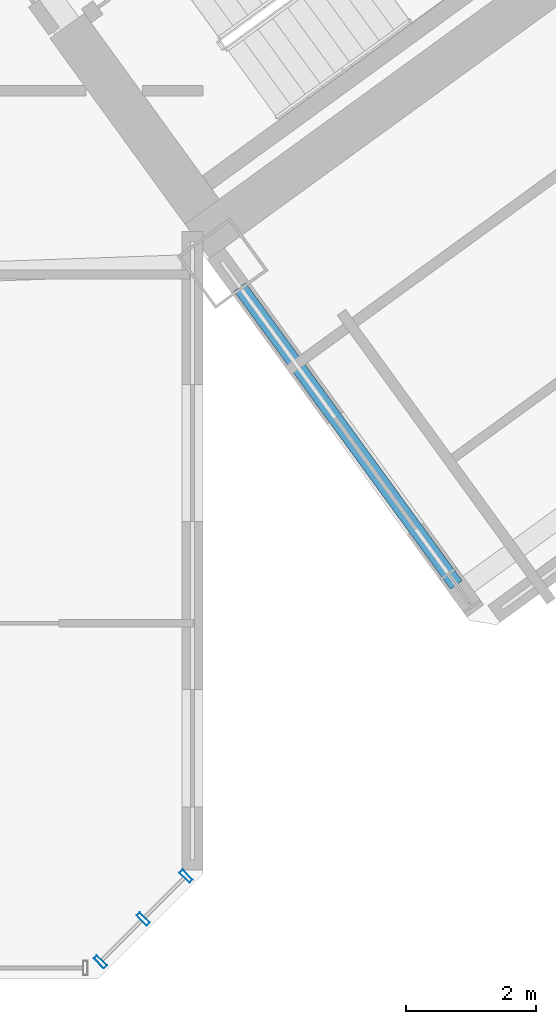
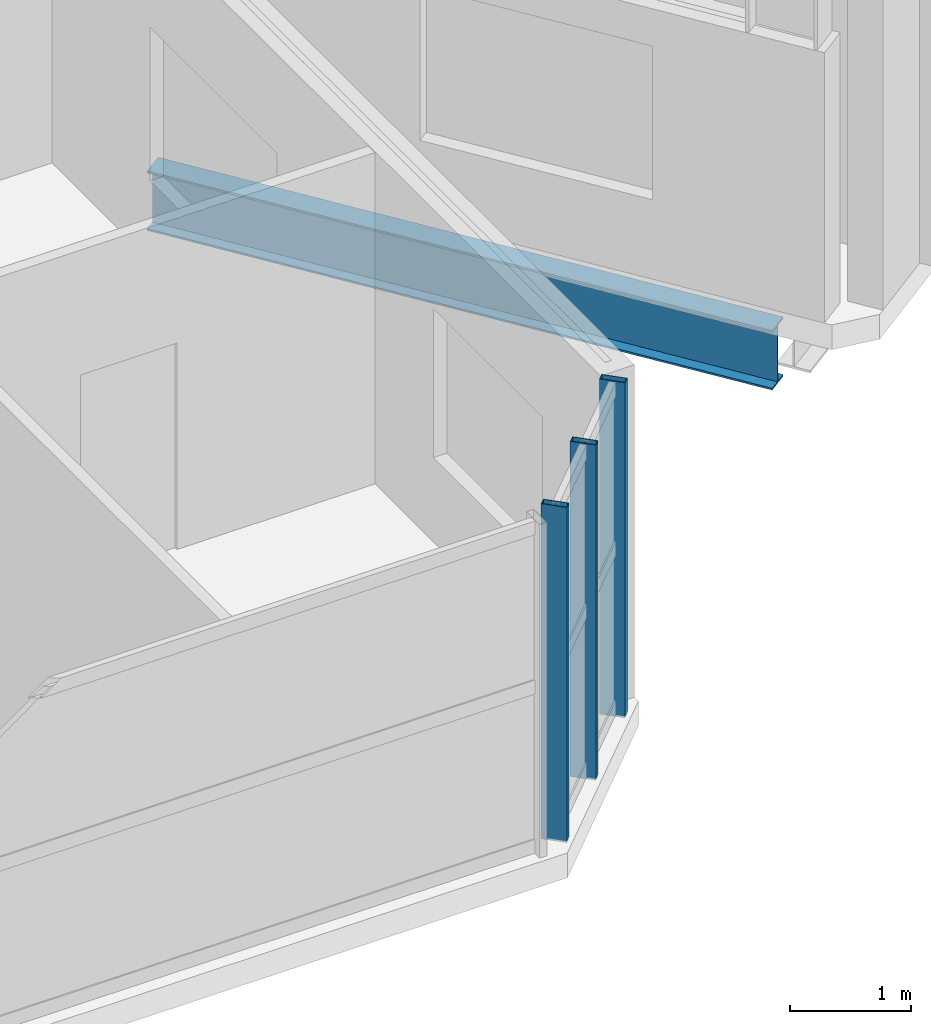
# One storey, part 9 of 28: 3 members, 1 beam, 1 element without a shape of its own.
"""IFC4 building model written with IfcOpenShell, lengths in metres."""

from ifc_helpers import new_model, si_unit, direction, frame, origin, origin_2d, place, context, subcontext, project, spatial, hollow_rectangle, i_section, extrude, source, transform, mapped, material, material_profile, profile_set, type_object, element, aggregate, save


model = new_model("IFC4")

# Units and contexts
model_context = context("Model", 3, precision=1e-05, world=origin(), true_north=direction((0.0, 1.0)))
body_context = subcontext(model_context, "Body", "Model", "MODEL_VIEW")
ifc_project = project(units=[si_unit("LENGTHUNIT", "METRE"), si_unit("AREAUNIT", "SQUARE_METRE"), si_unit("VOLUMEUNIT", "CUBIC_METRE"), si_unit("PLANEANGLEUNIT", "RADIAN"), si_unit("MASSUNIT", "GRAM", prefix="KILO")], contexts=[model_context])

# Site, building, storey
site_placement = place(None, origin())
site = spatial("IfcSite", under=ifc_project, at=site_placement, CompositionType="ELEMENT")
building_placement = place(site_placement, origin())
building = spatial("IfcBuilding", under=site, at=building_placement, Name="Tlacorven Tower", CompositionType="ELEMENT")
storey_placement = place(building_placement, frame((0.0, 0.0, 27.60009765625)))
storey = spatial("IfcBuildingStorey", under=building, at=storey_placement, Name="L06", CompositionType="ELEMENT", Elevation=27.60009765625)

# Beam
ifc_material_1 = material(Name="Steel S355J2", Category="steel")
ifc_material_profile_1 = material_profile(ifc_material_1, i_section(OverallWidth=0.219970703125, OverallDepth=0.60009765625, WebThickness=0.011962890625, FlangeThickness=0.01904296875, at=origin_2d()), Name="IPE 600")
ifc_profile_set_1 = profile_set([ifc_material_profile_1], Name="Steel S355J2")
beam_type = type_object("IfcBeamType", Name="BM-TWR-600", PredefinedType="BEAM", material=ifc_profile_set_1)
shared_shape_1 = source(origin(), body_context, "Body", "SweptSolid", [
    extrude(i_section(OverallWidth=0.219970703125, OverallDepth=0.60009765625, WebThickness=0.011962890625, FlangeThickness=0.01904296875, at=origin_2d()), origin(), (0.0, 0.0, 1.0), 5.650146484375),
])
beam_placement = place(storey_placement, frame((56.291015625, 7.83837890625, -0.550048828125), z_axis=(-0.587783675561, 0.809018139935, 0.0), x_axis=(-0.809018139935, -0.587783675561, 0.0)))
element("IfcBeam", 1, at=beam_placement, inside=storey, type_object=beam_type, Name="L06 beam BM-L06-ET1-1", PredefinedType="BEAM", context=body_context, shape_type="MappedRepresentation", body=[
    mapped(shared_shape_1, transform((0.0, 0.0, 0.0), scale=1.0)),
])

# Curtain wall, members
ifc_material_2 = material(Name="Dark solar low-E double glazing in aluminium frame", Category="aluminium")
curtain_wall_type = type_object("IfcCurtainWallType", Name="CW-TWR-LOW", PredefinedType="USERDEFINED", material=ifc_material_2)
curtain_wall_placement = place(storey_placement, origin())
curtain_wall = element("IfcCurtainWall", 2, at=curtain_wall_placement, inside=storey, type_object=curtain_wall_type, Name="L06 CW-TWR-LOW Curtain Wall 27", ObjectType="UNITISED CURTAIN WALL", PredefinedType="USERDEFINED")
ifc_material_3 = material(Name="Aluminium 6063-T6 anodised", Category="aluminium")
ifc_material_profile_2 = material_profile(ifc_material_3, hollow_rectangle(XDim=0.070068359375, YDim=0.219970703125, WallThickness=0.0048828125, at=origin_2d()), Name="ALU MULLION 70X220")
ifc_profile_set_2 = profile_set([ifc_material_profile_2], Name="Aluminium 6063-T6 anodised")
member_type = type_object("IfcMemberType", Name="CWM-01", PredefinedType="MULLION", material=ifc_profile_set_2)
shared_shape_2 = source(origin(), body_context, "Body", "SweptSolid", [
    extrude(hollow_rectangle(XDim=0.070068359375, YDim=0.219970703125, WallThickness=0.0048828125, at=origin_2d()), origin(), (0.0, 0.0, 1.0), 3.3798828125),
])
member_1_placement = place(storey_placement, frame((52.14453125, 3.370849609375, -0.02001953125), z_axis=(0.0, 0.0, 1.0), x_axis=(-0.707106781187, -0.707106781187, 0.0)))
member_1 = element("IfcMember", 3, at=member_1_placement, type_object=member_type, Name="CW-L06-027 Mullion 1", PredefinedType="MULLION", context=body_context, shape_type="MappedRepresentation", body=[
    mapped(shared_shape_2, transform((0.0, 0.0, 0.0), scale=1.0)),
])
member_2_placement = place(storey_placement, frame((51.48681640625, 2.713134765625, -0.02001953125), z_axis=(0.0, 0.0, 1.0), x_axis=(-0.707106781187, -0.707106781187, 0.0)))
member_2 = element("IfcMember", 4, at=member_2_placement, type_object=member_type, Name="CW-L06-027 Mullion 2", PredefinedType="MULLION", context=body_context, shape_type="MappedRepresentation", body=[
    mapped(shared_shape_2, transform((0.0, 0.0, 0.0), scale=1.0)),
])
member_3_placement = place(storey_placement, frame((50.8291015625, 2.055419921875, -0.02001953125), z_axis=(0.0, 0.0, 1.0), x_axis=(-0.707106781187, -0.707106781187, 0.0)))
member_3 = element("IfcMember", 5, at=member_3_placement, type_object=member_type, Name="CW-L06-027 Mullion 3", PredefinedType="MULLION", context=body_context, shape_type="MappedRepresentation", body=[
    mapped(shared_shape_2, transform((0.0, 0.0, 0.0), scale=1.0)),
])
aggregate(curtain_wall, [member_1, member_2, member_3])

save(model, "model.ifc")
